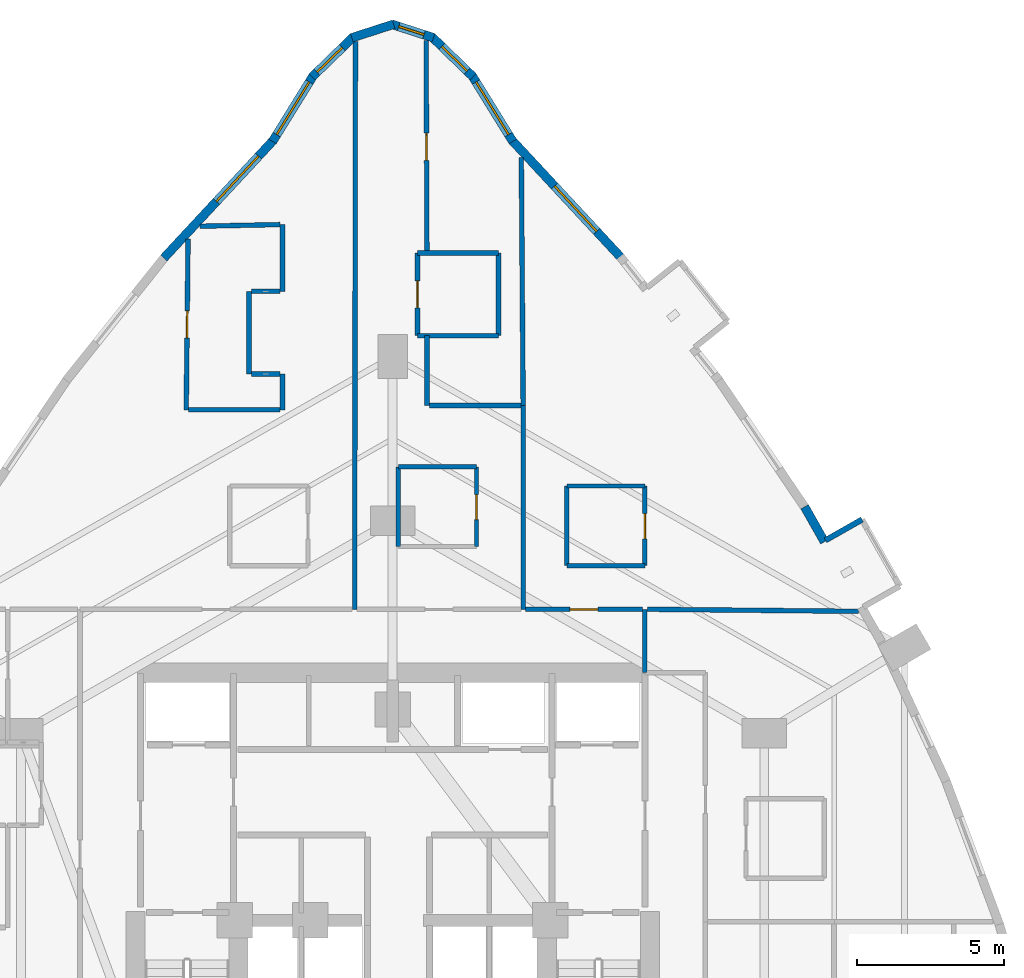
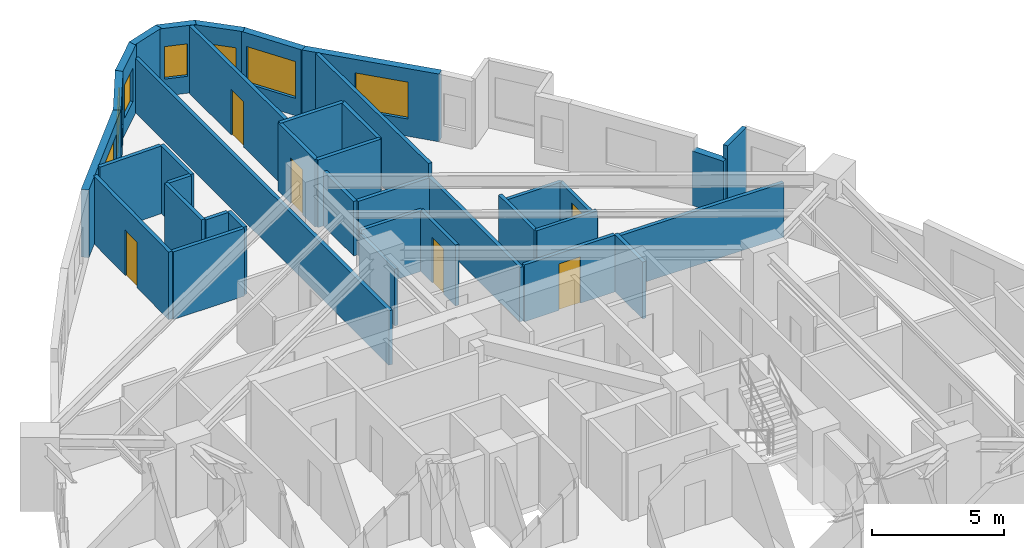
# One storey, part 11 of 13: 38 walls, 7 windows, 6 doors, 13 openings.
"""IFC4 building model written with IfcOpenShell, lengths in metres."""

from ifc_helpers import new_model, si_unit, direction, frame, frame_2d, origin, place, context, subcontext, project, spatial, rectangle, extrude, material, layer, layer_set, type_object, element, fill, save


model = new_model("IFC4")

# Units and contexts
model_context = context("Model", 3, precision=1e-05, world=origin(), true_north=direction((0.0, 1.0)))
body_context = subcontext(model_context, "Body", "Model", "MODEL_VIEW")
ifc_project = project(units=[si_unit("LENGTHUNIT", "METRE"), si_unit("AREAUNIT", "SQUARE_METRE"), si_unit("VOLUMEUNIT", "CUBIC_METRE"), si_unit("PLANEANGLEUNIT", "RADIAN"), si_unit("MASSUNIT", "GRAM", prefix="KILO")], contexts=[model_context])

# Site, building, storey
site_placement = place(None, origin())
site = spatial("IfcSite", under=ifc_project, at=site_placement, CompositionType="ELEMENT")
building_placement = place(site_placement, origin())
building = spatial("IfcBuilding", under=site, at=building_placement, Name="Miruveldt Soraemaru", CompositionType="ELEMENT")
storey_placement = place(building_placement, frame((0.0, 0.0, 59.800048828125)))
storey = spatial("IfcBuildingStorey", under=building, at=storey_placement, Name="L16", CompositionType="ELEMENT", Elevation=59.800048828125)

# Wall
ifc_material_1 = material(Name="White powder-coated aluminium EN AW-6060 T6", Category="aluminium")
ifc_layer_1 = layer(ifc_material_1, 0.18994140625, Name="White powder-coated aluminium EN AW-6060 T6", Category="aluminium")
ifc_layer_set_1 = layer_set([ifc_layer_1], Name="White powder-coated aluminium EN AW-6060 T6")
wall_type_1 = type_object("IfcWallType", Name="WALL-BAY-ALU190", PredefinedType="SOLIDWALL", material=ifc_layer_set_1)
wall_1_placement = place(storey_placement, frame((59.91650390625, 57.643310546875, 0.0), z_axis=(0.0, 0.0, 1.0), x_axis=(-0.869799191674, -0.493405883794, 0.0)))
element("IfcWall", 1, at=wall_1_placement, inside=storey, type_object=wall_type_1, Name="L16 Bay Window Side Cheek 5R", PredefinedType="SOLIDWALL", context=body_context, shape_type="SweptSolid", body=[
    extrude(rectangle(XDim=1.425048828125, YDim=0.18994140625, at=frame_2d((0.71240234375, 0.0))), origin(), (0.0, 0.0, 1.0), 3.125),
])

# Wall, opening, window
ifc_material_2 = material(Name="Precast concrete C45/55 (45 MPa)", Category="concrete")
ifc_layer_2 = layer(ifc_material_2, 0.300048828125, Name="Precast concrete C45/55 (45 MPa)", Category="concrete")
ifc_layer_set_2 = layer_set([ifc_layer_2], Name="Precast concrete C45/55 (45 MPa)")
wall_type_2 = type_object("IfcWallType", Name="WALL-EXT-PC300", PredefinedType="SOLIDWALL", material=ifc_layer_set_2)
wall_2_placement = place(storey_placement, frame((48.0751953125, 70.464111328125, 0.0), z_axis=(0.0, 0.0, 1.0), x_axis=(-0.526087217636, 0.850430620004, 0.0)))
wall_2 = element("IfcWall", 2, at=wall_2_placement, inside=storey, type_object=wall_type_2, Name="L16 Precast Concrete Facade Wall 1", PredefinedType="SOLIDWALL", context=body_context, shape_type="SweptSolid", body=[
    extrude(rectangle(XDim=2.640625, YDim=0.300048828125, at=frame_2d((1.3203125, 0.0))), origin(), (0.0, 0.0, 1.0), 3.125),
])
opening_1_placement = place(wall_2_placement, frame((0.27001953125, 0.0, 0.800048828125)))
opening_1 = element("IfcOpeningElement", 3, at=opening_1_placement, cuts=wall_2, Name="Opening WN-1", PredefinedType="OPENING", context=body_context, shape_type="SweptSolid", body=[
    extrude(rectangle(XDim=2.10009765625, YDim=1.699951171875, at=frame_2d((1.050048828125, 0.85009765625))), frame((0.0, 0.16015625, 0.0), z_axis=(0.0, -1.0, 0.0), x_axis=(1.0, 0.0, 0.0)), (0.0, 0.0, 1.0), 0.320068359375),
])
ifc_material_3 = material(Name="Triple low-e insulated glazing", Category="glass")
window_type_1 = type_object("IfcWindowType", Name="WIN-PUNCH-2100x1700", PartitioningType="SINGLE_PANEL", PredefinedType="WINDOW", material=ifc_material_3)
window_1_placement = place(opening_1_placement, origin())
window_1 = element("IfcWindow", 4, at=window_1_placement, inside=storey, type_object=window_type_1, Name="L16 Punched Triple-Glazed Window 01.1", OverallHeight=1.699951171875, OverallWidth=2.10009765625, PartitioningType="SINGLE_PANEL", PredefinedType="WINDOW", context=body_context, shape_type="SweptSolid", body=[
    extrude(rectangle(XDim=2.10009765625, YDim=1.699951171875, at=frame_2d((1.050048828125, 0.85009765625))), frame((0.0, 0.030029296875, 0.0), z_axis=(0.0, -1.0, 0.0), x_axis=(1.0, 0.0, 0.0)), (0.0, 0.0, 1.0), 0.06005859375),
])
fill(opening_1, window_1)

wall_3_placement = place(storey_placement, frame((46.7294921875, 72.655517578125, 0.0), z_axis=(0.0, 0.0, 1.0), x_axis=(-0.717771695188, 0.696278531614, 0.0)))
wall_3 = element("IfcWall", 5, at=wall_3_placement, inside=storey, type_object=wall_type_2, Name="L16 Precast Concrete Facade Wall 2", PredefinedType="SOLIDWALL", context=body_context, shape_type="SweptSolid", body=[
    extrude(rectangle(XDim=1.953857421875, YDim=0.300048828125, at=frame_2d((0.97705078125, 0.0))), origin(), (0.0, 0.0, 1.0), 3.125),
])
opening_2_placement = place(wall_3_placement, frame((0.281005859375, 0.0, 0.780029296875)))
opening_2 = element("IfcOpeningElement", 6, at=opening_2_placement, cuts=wall_3, Name="Opening WN-4", PredefinedType="OPENING", context=body_context, shape_type="SweptSolid", body=[
    extrude(rectangle(XDim=1.199951171875, YDim=1.550048828125, at=frame_2d((0.60009765625, 0.77490234375))), frame((0.0, 0.16015625, 0.0), z_axis=(0.0, -1.0, 0.0), x_axis=(1.0, 0.0, 0.0)), (0.0, 0.0, 1.0), 0.320068359375),
])
window_type_2 = type_object("IfcWindowType", Name="WIN-PUNCH-1200x1550", PartitioningType="SINGLE_PANEL", PredefinedType="WINDOW", material=ifc_material_3)
window_2_placement = place(opening_2_placement, origin())
window_2 = element("IfcWindow", 7, at=window_2_placement, inside=storey, type_object=window_type_2, Name="L16 Punched Triple-Glazed Window 02.1", OverallHeight=1.550048828125, OverallWidth=1.199951171875, PartitioningType="SINGLE_PANEL", PredefinedType="WINDOW", context=body_context, shape_type="SweptSolid", body=[
    extrude(rectangle(XDim=1.199951171875, YDim=1.550048828125, at=frame_2d((0.60009765625, 0.77490234375))), frame((0.0, 0.030029296875, 0.0), z_axis=(0.0, -1.0, 0.0), x_axis=(1.0, 0.0, 0.0)), (0.0, 0.0, 1.0), 0.06005859375),
])
fill(opening_2, window_2)

wall_4_placement = place(storey_placement, frame((45.385498046875, 73.980712890625, 0.0), z_axis=(0.0, 0.0, 1.0), x_axis=(-0.95149387198, 0.307667696687, 0.0)))
wall_4 = element("IfcWall", 8, at=wall_4_placement, inside=storey, type_object=wall_type_2, Name="L16 Precast Concrete Facade Wall 3", PredefinedType="SOLIDWALL", context=body_context, shape_type="SweptSolid", body=[
    extrude(rectangle(XDim=1.490966796875, YDim=0.300048828125, at=frame_2d((0.74560546875, 0.0))), origin(), (0.0, 0.0, 1.0), 3.125),
])
opening_3_placement = place(wall_4_placement, frame((0.340087890625, 0.0, 0.780029296875)))
opening_3 = element("IfcOpeningElement", 9, at=opening_3_placement, cuts=wall_4, Name="Opening WN-7", PredefinedType="OPENING", context=body_context, shape_type="SweptSolid", body=[
    extrude(rectangle(XDim=0.89990234375, YDim=1.5, at=frame_2d((0.449951171875, 0.75))), frame((0.0, 0.16015625, 0.0), z_axis=(0.0, -1.0, 0.0), x_axis=(1.0, 0.0, 0.0)), (0.0, 0.0, 1.0), 0.320068359375),
])
window_type_3 = type_object("IfcWindowType", Name="WIN-PUNCH-900x1500", PartitioningType="SINGLE_PANEL", PredefinedType="WINDOW", material=ifc_material_3)
window_3_placement = place(opening_3_placement, origin())
window_3 = element("IfcWindow", 10, at=window_3_placement, inside=storey, type_object=window_type_3, Name="L16 Bedroom Casement Window 1", OverallHeight=1.5, OverallWidth=0.89990234375, PartitioningType="SINGLE_PANEL", PredefinedType="WINDOW", context=body_context, shape_type="SweptSolid", body=[
    extrude(rectangle(XDim=0.89990234375, YDim=1.5, at=frame_2d((0.449951171875, 0.75))), frame((0.0, 0.030029296875, 0.0), z_axis=(0.0, -1.0, 0.0), x_axis=(1.0, 0.0, 0.0)), (0.0, 0.0, 1.0), 0.06005859375),
])
fill(opening_3, window_3)

# Wall
wall_5_placement = place(storey_placement, frame((44.033203125, 74.439453125, 0.0), z_axis=(0.0, 0.0, 1.0), x_axis=(-0.95149387198, -0.307667696687, 0.0)))
element("IfcWall", 11, at=wall_5_placement, inside=storey, type_object=wall_type_2, Name="L16 Precast Concrete Facade Wall 4", PredefinedType="SOLIDWALL", context=body_context, shape_type="SweptSolid", body=[
    extrude(rectangle(XDim=1.490966796875, YDim=0.300048828125, at=frame_2d((0.74560546875, 0.0))), origin(), (0.0, 0.0, 1.0), 3.125),
])

# Wall, opening, window
wall_6_placement = place(storey_placement, frame((42.6728515625, 74.015869140625, 0.0), z_axis=(0.0, 0.0, 1.0), x_axis=(-0.717771695188, -0.696278531614, 0.0)))
wall_6 = element("IfcWall", 12, at=wall_6_placement, inside=storey, type_object=wall_type_2, Name="L16 Precast Concrete Facade Wall 5", PredefinedType="SOLIDWALL", context=body_context, shape_type="SweptSolid", body=[
    extrude(rectangle(XDim=1.953857421875, YDim=0.300048828125, at=frame_2d((0.97705078125, 0.0))), origin(), (0.0, 0.0, 1.0), 3.125),
])
opening_4_placement = place(wall_6_placement, frame((0.532958984375, 0.0, 0.780029296875)))
opening_4 = element("IfcOpeningElement", 13, at=opening_4_placement, cuts=wall_6, Name="Opening WN-4", PredefinedType="OPENING", context=body_context, shape_type="SweptSolid", body=[
    extrude(rectangle(XDim=1.199951171875, YDim=1.550048828125, at=frame_2d((0.60009765625, 0.77490234375))), frame((0.0, 0.16015625, 0.0), z_axis=(0.0, -1.0, 0.0), x_axis=(1.0, 0.0, 0.0)), (0.0, 0.0, 1.0), 0.320068359375),
])
window_4_placement = place(opening_4_placement, origin())
window_4 = element("IfcWindow", 14, at=window_4_placement, inside=storey, type_object=window_type_2, Name="L16 Punched Triple-Glazed Window 05.1", OverallHeight=1.550048828125, OverallWidth=1.199951171875, PartitioningType="SINGLE_PANEL", PredefinedType="WINDOW", context=body_context, shape_type="SweptSolid", body=[
    extrude(rectangle(XDim=1.199951171875, YDim=1.550048828125, at=frame_2d((0.60009765625, 0.77490234375))), frame((0.0, 0.030029296875, 0.0), z_axis=(0.0, -1.0, 0.0), x_axis=(1.0, 0.0, 0.0)), (0.0, 0.0, 1.0), 0.06005859375),
])
fill(opening_4, window_4)

wall_7_placement = place(storey_placement, frame((41.31396484375, 72.709716796875, 0.0), z_axis=(0.0, 0.0, 1.0), x_axis=(-0.526087217636, -0.850430620004, 0.0)))
wall_7 = element("IfcWall", 15, at=wall_7_placement, inside=storey, type_object=wall_type_2, Name="L16 Precast Concrete Facade Wall 6", PredefinedType="SOLIDWALL", context=body_context, shape_type="SweptSolid", body=[
    extrude(rectangle(XDim=2.640625, YDim=0.300048828125, at=frame_2d((1.3203125, 0.0))), origin(), (0.0, 0.0, 1.0), 3.125),
])
opening_5_placement = place(wall_7_placement, frame((0.27001953125, 0.0, 0.800048828125)))
opening_5 = element("IfcOpeningElement", 16, at=opening_5_placement, cuts=wall_7, Name="Opening WN-1", PredefinedType="OPENING", context=body_context, shape_type="SweptSolid", body=[
    extrude(rectangle(XDim=2.10009765625, YDim=1.699951171875, at=frame_2d((1.050048828125, 0.85009765625))), frame((0.0, 0.16015625, 0.0), z_axis=(0.0, -1.0, 0.0), x_axis=(1.0, 0.0, 0.0)), (0.0, 0.0, 1.0), 0.320068359375),
])
window_5_placement = place(opening_5_placement, origin())
window_5 = element("IfcWindow", 17, at=window_5_placement, inside=storey, type_object=window_type_1, Name="L16 Punched Triple-Glazed Window 06.1", OverallHeight=1.699951171875, OverallWidth=2.10009765625, PartitioningType="SINGLE_PANEL", PredefinedType="WINDOW", context=body_context, shape_type="SweptSolid", body=[
    extrude(rectangle(XDim=2.10009765625, YDim=1.699951171875, at=frame_2d((1.050048828125, 0.85009765625))), frame((0.0, 0.030029296875, 0.0), z_axis=(0.0, -1.0, 0.0), x_axis=(1.0, 0.0, 0.0)), (0.0, 0.0, 1.0), 0.06005859375),
])
fill(opening_5, window_5)

wall_8_placement = place(storey_placement, frame((39.967041015625, 70.51953125, 0.0), z_axis=(0.0, 0.0, 1.0), x_axis=(-0.680882057682, -0.732393079928, 0.0)))
wall_8 = element("IfcWall", 18, at=wall_8_placement, inside=storey, type_object=wall_type_2, Name="L16 Precast Concrete Facade Wall 7", PredefinedType="SOLIDWALL", context=body_context, shape_type="SweptSolid", body=[
    extrude(rectangle(XDim=5.47412109375, YDim=0.300048828125, at=frame_2d((2.737060546875, 0.0))), origin(), (0.0, 0.0, 1.0), 3.125),
])
opening_6_placement = place(wall_8_placement, frame((0.75390625, 0.0, 0.800048828125)))
opening_6 = element("IfcOpeningElement", 19, at=opening_6_placement, cuts=wall_8, Name="Opening WN-1", PredefinedType="OPENING", context=body_context, shape_type="SweptSolid", body=[
    extrude(rectangle(XDim=2.10009765625, YDim=1.699951171875, at=frame_2d((1.050048828125, 0.85009765625))), frame((0.0, 0.16015625, 0.0), z_axis=(0.0, -1.0, 0.0), x_axis=(1.0, 0.0, 0.0)), (0.0, 0.0, 1.0), 0.320068359375),
])
window_6_placement = place(opening_6_placement, origin())
window_6 = element("IfcWindow", 20, at=window_6_placement, inside=storey, type_object=window_type_1, Name="L16 Punched Triple-Glazed Window 07.1", OverallHeight=1.699951171875, OverallWidth=2.10009765625, PartitioningType="SINGLE_PANEL", PredefinedType="WINDOW", context=body_context, shape_type="SweptSolid", body=[
    extrude(rectangle(XDim=2.10009765625, YDim=1.699951171875, at=frame_2d((1.050048828125, 0.85009765625))), frame((0.0, 0.030029296875, 0.0), z_axis=(0.0, -1.0, 0.0), x_axis=(1.0, 0.0, 0.0)), (0.0, 0.0, 1.0), 0.06005859375),
])
fill(opening_6, window_6)

# Wall
wall_9_placement = place(storey_placement, frame((58.64404296875, 56.886962890625, 0.0), z_axis=(0.0, 0.0, 1.0), x_axis=(-0.493390445805, 0.869807948911, 0.0)))
element("IfcWall", 21, at=wall_9_placement, inside=storey, type_object=wall_type_2, Name="L16 Precast Pier Wall 39B", PredefinedType="SOLIDWALL", context=body_context, shape_type="SweptSolid", body=[
    extrude(rectangle(XDim=1.369140625, YDim=0.300048828125, at=frame_2d((0.6845703125, 0.0))), origin(), (0.0, 0.0, 1.0), 2.512939453125),
])

# Wall, opening, window
wall_10_placement = place(storey_placement, frame((51.76025390625, 66.51025390625, 0.0), z_axis=(0.0, 0.0, 1.0), x_axis=(-0.680882057682, 0.732393079928, 0.0)))
wall_10 = element("IfcWall", 22, at=wall_10_placement, inside=storey, type_object=wall_type_2, Name="L16 Precast Concrete Facade Wall 42", PredefinedType="SOLIDWALL", context=body_context, shape_type="SweptSolid", body=[
    extrude(rectangle(XDim=5.47412109375, YDim=0.300048828125, at=frame_2d((2.737060546875, 0.0))), origin(), (0.0, 0.0, 1.0), 3.125),
])
opening_7_placement = place(wall_10_placement, frame((1.236083984375, 0.0, 0.800048828125)))
opening_7 = element("IfcOpeningElement", 23, at=opening_7_placement, cuts=wall_10, Name="Opening WN-1", PredefinedType="OPENING", context=body_context, shape_type="SweptSolid", body=[
    extrude(rectangle(XDim=2.10009765625, YDim=1.699951171875, at=frame_2d((1.050048828125, 0.85009765625))), frame((0.0, 0.16015625, 0.0), z_axis=(0.0, -1.0, 0.0), x_axis=(1.0, 0.0, 0.0)), (0.0, 0.0, 1.0), 0.320068359375),
])
window_7_placement = place(opening_7_placement, origin())
window_7 = element("IfcWindow", 24, at=window_7_placement, inside=storey, type_object=window_type_1, Name="L16 Punched Triple-Glazed Window 42.1", OverallHeight=1.699951171875, OverallWidth=2.10009765625, PartitioningType="SINGLE_PANEL", PredefinedType="WINDOW", context=body_context, shape_type="SweptSolid", body=[
    extrude(rectangle(XDim=2.10009765625, YDim=1.699951171875, at=frame_2d((1.050048828125, 0.85009765625))), frame((0.0, 0.030029296875, 0.0), z_axis=(0.0, -1.0, 0.0), x_axis=(1.0, 0.0, 0.0)), (0.0, 0.0, 1.0), 0.06005859375),
])
fill(opening_7, window_7)

# Wall, opening, door
ifc_material_4 = material(Name="Gypsum plasterboard lining", Category="gypsum")
ifc_layer_3 = layer(ifc_material_4, 0.14990234375, Name="Gypsum plasterboard lining", Category="gypsum")
ifc_layer_set_3 = layer_set([ifc_layer_3], Name="Gypsum plasterboard lining")
wall_type_3 = type_object("IfcWallType", Name="WALL-INT-PLUMB", PredefinedType="PLUMBINGWALL", material=ifc_layer_set_3)
wall_11_placement = place(storey_placement, frame((46.842041015625, 56.72998046875, 0.0), z_axis=(0.0, 0.0, 1.0), x_axis=(0.0, 1.0, 0.0)))
wall_11 = element("IfcWall", 25, at=wall_11_placement, inside=storey, type_object=wall_type_3, Name="L16 Partition Wall 27", PredefinedType="PLUMBINGWALL", context=body_context, shape_type="SweptSolid", body=[
    extrude(rectangle(XDim=2.699951171875, YDim=0.14990234375, at=frame_2d((1.35009765625, 0.0))), origin(), (0.0, 0.0, 1.0), 2.81298828125),
])
opening_8_placement = place(wall_11_placement, frame((0.909912109375, 0.0, 0.0)))
opening_8 = element("IfcOpeningElement", 26, at=opening_8_placement, cuts=wall_11, Name="Opening FD3", PredefinedType="OPENING", context=body_context, shape_type="SweptSolid", body=[
    extrude(rectangle(XDim=0.85009765625, YDim=2.10009765625, at=frame_2d((0.425048828125, 1.050048828125))), frame((0.0, 0.0849609375, 0.0), z_axis=(0.0, -1.0, 0.0), x_axis=(1.0, 0.0, 0.0)), (0.0, 0.0, 1.0), 0.169921875),
])
ifc_material_5 = material(Name="Anodised aluminium EN AW-6063 T6", Category="aluminium")
door_type_1 = type_object("IfcDoorType", Name="DOOR-FD3-850", OperationType="NOTDEFINED", PredefinedType="DOOR", material=ifc_material_5)
door_1_placement = place(opening_8_placement, origin())
door_1 = element("IfcDoor", 27, at=door_1_placement, inside=storey, type_object=door_type_1, Name="L16 Unit 1603 BTH Door", OperationType="SINGLE_SWING_LEFT", OverallHeight=2.10009765625, OverallWidth=0.85009765625, PredefinedType="DOOR", context=body_context, shape_type="SweptSolid", body=[
    extrude(rectangle(XDim=0.85009765625, YDim=2.10009765625, at=frame_2d((0.425048828125, 1.050048828125))), frame((0.0, 0.02490234375, 0.0), z_axis=(0.0, -1.0, 0.0), x_axis=(1.0, 0.0, 0.0)), (0.0, 0.0, 1.0), 0.050048828125),
])
fill(opening_8, door_1)

wall_12_placement = place(storey_placement, frame((52.554931640625, 56.080078125, 0.0), z_axis=(0.0, 0.0, 1.0), x_axis=(0.0, 1.0, 0.0)))
wall_12 = element("IfcWall", 28, at=wall_12_placement, inside=storey, type_object=wall_type_3, Name="L16 Partition Wall 37", PredefinedType="PLUMBINGWALL", context=body_context, shape_type="SweptSolid", body=[
    extrude(rectangle(XDim=2.699951171875, YDim=0.14990234375, at=frame_2d((1.35009765625, 0.0))), origin(), (0.0, 0.0, 1.0), 2.512939453125),
])
opening_9_placement = place(wall_12_placement, frame((0.909912109375, 0.0, 0.0)))
opening_9 = element("IfcOpeningElement", 29, at=opening_9_placement, cuts=wall_12, Name="Opening FD3", PredefinedType="OPENING", context=body_context, shape_type="SweptSolid", body=[
    extrude(rectangle(XDim=0.85009765625, YDim=2.10009765625, at=frame_2d((0.425048828125, 1.050048828125))), frame((0.0, 0.0849609375, 0.0), z_axis=(0.0, -1.0, 0.0), x_axis=(1.0, 0.0, 0.0)), (0.0, 0.0, 1.0), 0.169921875),
])
door_2_placement = place(opening_9_placement, origin())
door_2 = element("IfcDoor", 30, at=door_2_placement, inside=storey, type_object=door_type_1, Name="L16 Unit CL04 BTH Door", OperationType="SINGLE_SWING_LEFT", OverallHeight=2.10009765625, OverallWidth=0.85009765625, PredefinedType="DOOR", context=body_context, shape_type="SweptSolid", body=[
    extrude(rectangle(XDim=0.85009765625, YDim=2.10009765625, at=frame_2d((0.425048828125, 1.050048828125))), frame((0.0, 0.02490234375, 0.0), z_axis=(0.0, -1.0, 0.0), x_axis=(1.0, 0.0, 0.0)), (0.0, 0.0, 1.0), 0.050048828125),
])
fill(opening_9, door_2)

# Walls
wall_13_placement = place(storey_placement, frame((44.19189453125, 59.429931640625, 0.0), z_axis=(0.0, 0.0, 1.0), x_axis=(0.0, -1.0, 0.0)))
element("IfcWall", 31, at=wall_13_placement, inside=storey, type_object=wall_type_3, Name="L16 Partition Wall 29", PredefinedType="PLUMBINGWALL", context=body_context, shape_type="SweptSolid", body=[
    extrude(rectangle(XDim=2.699951171875, YDim=0.14990234375, at=frame_2d((1.35009765625, 0.0))), origin(), (0.0, 0.0, 1.0), 2.625),
])
wall_14_placement = place(storey_placement, frame((49.905029296875, 58.780029296875, 0.0), z_axis=(0.0, 0.0, 1.0), x_axis=(0.0, -1.0, 0.0)))
element("IfcWall", 32, at=wall_14_placement, inside=storey, type_object=wall_type_3, Name="L16 Partition Wall 39", PredefinedType="PLUMBINGWALL", context=body_context, shape_type="SweptSolid", body=[
    extrude(rectangle(XDim=2.699951171875, YDim=0.14990234375, at=frame_2d((1.35009765625, 0.0))), origin(), (0.0, 0.0, 1.0), 2.81298828125),
])
wall_15_placement = place(storey_placement, frame((46.842041015625, 59.429931640625, 0.0), z_axis=(0.0, 0.0, 1.0), x_axis=(-1.0, 0.0, 0.0)))
element("IfcWall", 33, at=wall_15_placement, inside=storey, type_object=wall_type_3, Name="L16 Partition Wall 28", PredefinedType="PLUMBINGWALL", context=body_context, shape_type="SweptSolid", body=[
    extrude(rectangle(XDim=2.650146484375, YDim=0.14990234375, at=frame_2d((1.3251953125, 0.0))), origin(), (0.0, 0.0, 1.0), 2.81298828125),
])
wall_16_placement = place(storey_placement, frame((52.554931640625, 58.780029296875, 0.0), z_axis=(0.0, 0.0, 1.0), x_axis=(-1.0, 0.0, 0.0)))
element("IfcWall", 34, at=wall_16_placement, inside=storey, type_object=wall_type_3, Name="L16 Partition Wall 38", PredefinedType="PLUMBINGWALL", context=body_context, shape_type="SweptSolid", body=[
    extrude(rectangle(XDim=2.64990234375, YDim=0.14990234375, at=frame_2d((1.324951171875, 0.0))), origin(), (0.0, 0.0, 1.0), 2.512939453125),
])
wall_17_placement = place(storey_placement, frame((49.905029296875, 56.080078125, 0.0), z_axis=(0.0, 0.0, 1.0), x_axis=(1.0, 0.0, 0.0)))
element("IfcWall", 35, at=wall_17_placement, inside=storey, type_object=wall_type_3, Name="L16 Partition Wall 40", PredefinedType="PLUMBINGWALL", context=body_context, shape_type="SweptSolid", body=[
    extrude(rectangle(XDim=2.64990234375, YDim=0.14990234375, at=frame_2d((1.324951171875, 0.0))), origin(), (0.0, 0.0, 1.0), 2.81298828125),
])

# Wall, opening, door
ifc_material_6 = material(Name="Concrete C40/50 (40 MPa)", Category="concrete")
ifc_layer_4 = layer(ifc_material_6, 0.159912109375, Name="Concrete C40/50 (40 MPa)", Category="concrete")
ifc_layer_set_4 = layer_set([ifc_layer_4], Name="Concrete C40/50 (40 MPa)")
wall_type_4 = type_object("IfcWallType", Name="WALL-INT-RC160", PredefinedType="SOLIDWALL", material=ifc_layer_set_4)
wall_18_placement = place(storey_placement, frame((45.162109375, 66.679931640625, 0.0), z_axis=(0.0, 0.0, 1.0), x_axis=(-0.003624146366, 0.99999343276, 0.0)))
wall_18 = element("IfcWall", 36, at=wall_18_placement, inside=storey, type_object=wall_type_4, Name="L16 Partition Wall 34", PredefinedType="SOLIDWALL", context=body_context, shape_type="SweptSolid", body=[
    extrude(rectangle(XDim=7.2080078125, YDim=0.159912109375, at=frame_2d((3.60400390625, 0.0))), origin(), (0.0, 0.0, 1.0), 3.125),
])
opening_10_placement = place(wall_18_placement, frame((3.14404296875, 0.0, 0.0)))
opening_10 = element("IfcOpeningElement", 37, at=opening_10_placement, cuts=wall_18, Name="Opening D3A", PredefinedType="OPENING", context=body_context, shape_type="SweptSolid", body=[
    extrude(rectangle(XDim=0.919921875, YDim=2.10009765625, at=frame_2d((0.4599609375, 1.050048828125))), frame((0.0, 0.08984375, 0.0), z_axis=(0.0, -1.0, 0.0), x_axis=(1.0, 0.0, 0.0)), (0.0, 0.0, 1.0), 0.179931640625),
])
door_type_2 = type_object("IfcDoorType", Name="DOOR-INT-920", OperationType="NOTDEFINED", PredefinedType="DOOR", material=ifc_material_5)
door_3_placement = place(opening_10_placement, origin())
door_3 = element("IfcDoor", 38, at=door_3_placement, inside=storey, type_object=door_type_2, Name="L16 Unit 1603 BD1 Door", OperationType="SINGLE_SWING_LEFT", OverallHeight=2.10009765625, OverallWidth=0.919921875, PredefinedType="DOOR", context=body_context, shape_type="SweptSolid", body=[
    extrude(rectangle(XDim=0.919921875, YDim=2.10009765625, at=frame_2d((0.4599609375, 1.050048828125))), frame((0.0, 0.02490234375, 0.0), z_axis=(0.0, -1.0, 0.0), x_axis=(1.0, 0.0, 0.0)), (0.0, 0.0, 1.0), 0.050048828125),
])
fill(opening_10, door_3)

wall_19_placement = place(storey_placement, frame((37.0, 61.364990234375, 0.0), z_axis=(0.0, 0.0, 1.0), x_axis=(0.010713068323, 0.999942613437, 0.0)))
wall_19 = element("IfcWall", 39, at=wall_19_placement, inside=storey, type_object=wall_type_4, Name="L16 Partition Wall 23", PredefinedType="SOLIDWALL", context=body_context, shape_type="SweptSolid", body=[
    extrude(rectangle(XDim=5.788330078125, YDim=0.159912109375, at=frame_2d((2.89404296875, 0.0))), origin(), (0.0, 0.0, 1.0), 3.125),
])
opening_11_placement = place(wall_19_placement, frame((2.43408203125, 0.0, 0.0)))
opening_11 = element("IfcOpeningElement", 40, at=opening_11_placement, cuts=wall_19, Name="Opening D3A", PredefinedType="OPENING", context=body_context, shape_type="SweptSolid", body=[
    extrude(rectangle(XDim=0.919921875, YDim=2.10009765625, at=frame_2d((0.4599609375, 1.050048828125))), frame((0.0, 0.08984375, 0.0), z_axis=(0.0, -1.0, 0.0), x_axis=(1.0, 0.0, 0.0)), (0.0, 0.0, 1.0), 0.179931640625),
])
door_4_placement = place(opening_11_placement, origin())
door_4 = element("IfcDoor", 41, at=door_4_placement, inside=storey, type_object=door_type_2, Name="L16 Unit 1602 BD1 Door", OperationType="SINGLE_SWING_LEFT", OverallHeight=2.10009765625, OverallWidth=0.919921875, PredefinedType="DOOR", context=body_context, shape_type="SweptSolid", body=[
    extrude(rectangle(XDim=0.919921875, YDim=2.10009765625, at=frame_2d((0.4599609375, 1.050048828125))), frame((0.0, 0.02490234375, 0.0), z_axis=(0.0, -1.0, 0.0), x_axis=(1.0, 0.0, 0.0)), (0.0, 0.0, 1.0), 0.050048828125),
])
fill(opening_11, door_4)

wall_20_placement = place(storey_placement, frame((52.469970703125, 54.60009765625, 0.0), z_axis=(0.0, 0.0, 1.0), x_axis=(-1.0, 0.0, 0.0)))
wall_20 = element("IfcWall", 42, at=wall_20_placement, inside=storey, type_object=wall_type_4, Name="L16 Partition Wall 3", PredefinedType="SOLIDWALL", context=body_context, shape_type="SweptSolid", body=[
    extrude(rectangle(XDim=3.965087890625, YDim=0.159912109375, at=frame_2d((1.982421875, 0.0))), origin(), (0.0, 0.0, 1.0), 2.625),
])
opening_12_placement = place(wall_20_placement, frame((1.507080078125, 0.0, 0.0)))
opening_12 = element("IfcOpeningElement", 43, at=opening_12_placement, cuts=wall_20, Name="Opening FD2", PredefinedType="OPENING", context=body_context, shape_type="SweptSolid", body=[
    extrude(rectangle(XDim=0.949951171875, YDim=2.14990234375, at=frame_2d((0.47509765625, 1.074951171875))), frame((0.0, 0.08984375, 0.0), z_axis=(0.0, -1.0, 0.0), x_axis=(1.0, 0.0, 0.0)), (0.0, 0.0, 1.0), 0.179931640625),
])
door_type_3 = type_object("IfcDoorType", Name="DOOR-FD2-950", OperationType="NOTDEFINED", PredefinedType="DOOR", material=ifc_material_5)
door_5_placement = place(opening_12_placement, origin())
door_5 = element("IfcDoor", 44, at=door_5_placement, inside=storey, type_object=door_type_3, Name="L16 Unit CL04 Entrance Fire Door", OperationType="SINGLE_SWING_RIGHT", OverallHeight=2.14990234375, OverallWidth=0.949951171875, PredefinedType="DOOR", context=body_context, shape_type="SweptSolid", body=[
    extrude(rectangle(XDim=0.949951171875, YDim=2.14990234375, at=frame_2d((0.47509765625, 1.074951171875))), frame((0.0, 0.02490234375, 0.0), z_axis=(0.0, -1.0, 0.0), x_axis=(1.0, 0.0, 0.0)), (0.0, 0.0, 1.0), 0.050048828125),
])
fill(opening_12, door_5)

wall_21_placement = place(storey_placement, frame((44.842041015625, 66.679931640625, 0.0), z_axis=(0.0, 0.0, 1.0), x_axis=(0.0, -1.0, 0.0)))
wall_21 = element("IfcWall", 45, at=wall_21_placement, inside=storey, type_object=wall_type_4, Name="L16 Partition Wall 31", PredefinedType="SOLIDWALL", context=body_context, shape_type="SweptSolid", body=[
    extrude(rectangle(XDim=2.800048828125, YDim=0.159912109375, at=frame_2d((1.39990234375, 0.0))), origin(), (0.0, 0.0, 1.0), 3.125),
])
opening_13_placement = place(wall_21_placement, frame((0.93994140625, 0.0, 0.0)))
opening_13 = element("IfcOpeningElement", 46, at=opening_13_placement, cuts=wall_21, Name="Opening D3A", PredefinedType="OPENING", context=body_context, shape_type="SweptSolid", body=[
    extrude(rectangle(XDim=0.919921875, YDim=2.10009765625, at=frame_2d((0.4599609375, 1.050048828125))), frame((0.0, 0.08984375, 0.0), z_axis=(0.0, -1.0, 0.0), x_axis=(1.0, 0.0, 0.0)), (0.0, 0.0, 1.0), 0.179931640625),
])
door_6_placement = place(opening_13_placement, origin())
door_6 = element("IfcDoor", 47, at=door_6_placement, inside=storey, type_object=door_type_2, Name="L16 Unit 1603 KIT Door", OperationType="SINGLE_SWING_RIGHT", OverallHeight=2.10009765625, OverallWidth=0.919921875, PredefinedType="DOOR", context=body_context, shape_type="SweptSolid", body=[
    extrude(rectangle(XDim=0.919921875, YDim=2.10009765625, at=frame_2d((0.4599609375, 1.050048828125))), frame((0.0, 0.02490234375, 0.0), z_axis=(0.0, -1.0, 0.0), x_axis=(1.0, 0.0, 0.0)), (0.0, 0.0, 1.0), 0.050048828125),
])
fill(opening_13, door_6)

# Walls
wall_22_placement = place(storey_placement, frame((42.7119140625, 54.60009765625, 0.0), z_axis=(0.0, 0.0, 1.0), x_axis=(0.001357263924, 0.999999078917, 0.0)))
element("IfcWall", 48, at=wall_22_placement, inside=storey, type_object=wall_type_4, Name="L16 Partition Wall 24", PredefinedType="SOLIDWALL", context=body_context, shape_type="SweptSolid", body=[
    extrude(rectangle(XDim=19.246826171875, YDim=0.159912109375, at=frame_2d((9.62353515625, 0.0))), origin(), (0.0, 0.0, 1.0), 2.512939453125),
])
wall_23_placement = place(storey_placement, frame((48.362060546875, 69.923095703125, 0.0), z_axis=(0.0, 0.0, 1.0), x_axis=(0.007487600639, -0.999971967525, 0.0)))
element("IfcWall", 49, at=wall_23_placement, inside=storey, type_object=wall_type_4, Name="L16 Partition Wall 95", PredefinedType="SOLIDWALL", context=body_context, shape_type="SweptSolid", body=[
    extrude(rectangle(XDim=8.412353515625, YDim=0.159912109375, at=frame_2d((4.2060546875, 0.0))), origin(), (0.0, 0.0, 1.0), 3.125),
])
wall_24_placement = place(storey_placement, frame((52.633056640625, 54.60009765625, 0.0), z_axis=(0.0, 0.0, 1.0), x_axis=(0.999952203327, -0.009777068182, 0.0)))
element("IfcWall", 50, at=wall_24_placement, inside=storey, type_object=wall_type_4, Name="L16 Partition Wall 41", PredefinedType="SOLIDWALL", context=body_context, shape_type="SweptSolid", body=[
    extrude(rectangle(XDim=7.16650390625, YDim=0.159912109375, at=frame_2d((3.583251953125, 0.0))), origin(), (0.0, 0.0, 1.0), 2.512939453125),
])
wall_25_placement = place(storey_placement, frame((48.425048828125, 54.60009765625, 0.0), z_axis=(0.0, 0.0, 1.0), x_axis=(0.0, 1.0, 0.0)))
element("IfcWall", 51, at=wall_25_placement, inside=storey, type_object=wall_type_4, Name="L16 Partition Wall 35", PredefinedType="SOLIDWALL", context=body_context, shape_type="SweptSolid", body=[
    extrude(rectangle(XDim=6.910888671875, YDim=0.159912109375, at=frame_2d((3.45556640625, 0.0))), origin(), (0.0, 0.0, 1.0), 2.512939453125),
])
wall_26_placement = place(storey_placement, frame((48.344970703125, 61.510986328125, 0.0), z_axis=(0.0, 0.0, 1.0), x_axis=(-1.0, 0.0, 0.0)))
element("IfcWall", 52, at=wall_26_placement, inside=storey, type_object=wall_type_4, Name="L16 Partition Wall 32", PredefinedType="SOLIDWALL", context=body_context, shape_type="SweptSolid", body=[
    extrude(rectangle(XDim=3.10302734375, YDim=0.159912109375, at=frame_2d((1.551513671875, 0.0))), origin(), (0.0, 0.0, 1.0), 2.512939453125),
])
wall_27_placement = place(storey_placement, frame((40.181884765625, 61.364990234375, 0.0), z_axis=(0.0, 0.0, 1.0), x_axis=(-1.0, 0.0, 0.0)))
element("IfcWall", 53, at=wall_27_placement, inside=storey, type_object=wall_type_4, Name="L16 Partition Wall 22", PredefinedType="SOLIDWALL", context=body_context, shape_type="SweptSolid", body=[
    extrude(rectangle(XDim=3.101806640625, YDim=0.159912109375, at=frame_2d((1.55078125, 0.0))), origin(), (0.0, 0.0, 1.0), 3.125),
])
wall_28_placement = place(storey_placement, frame((47.592041015625, 63.8798828125, 0.0), z_axis=(0.0, 0.0, 1.0), x_axis=(0.0, 1.0, 0.0)))
element("IfcWall", 54, at=wall_28_placement, inside=storey, type_object=wall_type_4, Name="L16 Partition Wall 36", PredefinedType="SOLIDWALL", context=body_context, shape_type="SweptSolid", body=[
    extrude(rectangle(XDim=2.800048828125, YDim=0.159912109375, at=frame_2d((1.39990234375, 0.0))), origin(), (0.0, 0.0, 1.0), 3.125),
])
wall_29_placement = place(storey_placement, frame((39.1298828125, 65.3798828125, 0.0), z_axis=(0.0, 0.0, 1.0), x_axis=(0.0, -1.0, 0.0)))
element("IfcWall", 55, at=wall_29_placement, inside=storey, type_object=wall_type_4, Name="L16 Partition Wall 19", PredefinedType="SOLIDWALL", context=body_context, shape_type="SweptSolid", body=[
    extrude(rectangle(XDim=2.7998046875, YDim=0.159912109375, at=frame_2d((1.39990234375, 0.0))), origin(), (0.0, 0.0, 1.0), 3.125),
])
for number, where, z_axis, x_axis, name in (
    (56, (47.592041015625, 66.679931640625, 0.0), (0.0, 0.0, 1.0), (-1.0, 0.0, 0.0), "L16 Partition Wall 93"),
    (57, (44.842041015625, 63.8798828125, 0.0), (0.0, 0.0, 1.0), (1.0, 0.0, 0.0), "L16 Partition Wall 94"),
):
    element("IfcWall", number, at=place(storey_placement, frame(where, z_axis=z_axis, x_axis=x_axis)), inside=storey, type_object=wall_type_4, Name=name, PredefinedType="SOLIDWALL", context=body_context, shape_type="SweptSolid", body=[
        extrude(rectangle(XDim=2.75, YDim=0.159912109375, at=frame_2d((1.375, 0.0))), origin(), (0.0, 0.0, 1.0), 3.125),
    ])
wall_30_placement = place(storey_placement, frame((37.468017578125, 67.589111328125, 0.0), z_axis=(0.0, 0.0, 1.0), x_axis=(0.999787868245, 0.020596565476, 0.0)))
element("IfcWall", 58, at=wall_30_placement, inside=storey, type_object=wall_type_4, Name="L16 Partition Wall 16", PredefinedType="SOLIDWALL", context=body_context, shape_type="SweptSolid", body=[
    extrude(rectangle(XDim=2.71435546875, YDim=0.159912109375, at=frame_2d((1.357177734375, 0.0))), origin(), (0.0, 0.0, 1.0), 3.125),
])
wall_31_placement = place(storey_placement, frame((45.162109375, 61.510986328125, 0.0), z_axis=(0.0, 0.0, 1.0), x_axis=(0.0, 1.0, 0.0)))
element("IfcWall", 59, at=wall_31_placement, inside=storey, type_object=wall_type_4, Name="L16 Partition Wall 33", PredefinedType="SOLIDWALL", context=body_context, shape_type="SweptSolid", body=[
    extrude(rectangle(XDim=2.368896484375, YDim=0.159912109375, at=frame_2d((1.1845703125, 0.0))), origin(), (0.0, 0.0, 1.0), 2.512939453125),
])
wall_32_placement = place(storey_placement, frame((40.261962890625, 67.64697265625, 0.0), z_axis=(0.0, 0.0, 1.0), x_axis=(0.0, -1.0, 0.0)))
element("IfcWall", 60, at=wall_32_placement, inside=storey, type_object=wall_type_4, Name="L16 Partition Wall 17", PredefinedType="SOLIDWALL", context=body_context, shape_type="SweptSolid", body=[
    extrude(rectangle(XDim=2.26708984375, YDim=0.159912109375, at=frame_2d((1.133544921875, 0.0))), origin(), (0.0, 0.0, 1.0), 3.125),
])
wall_33_placement = place(storey_placement, frame((52.550048828125, 52.449951171875, 0.0), z_axis=(0.0, 0.0, 1.0), x_axis=(0.0, 1.0, 0.0)))
element("IfcWall", 61, at=wall_33_placement, inside=storey, type_object=wall_type_4, Name="L16 Partition Wall 8", PredefinedType="SOLIDWALL", context=body_context, shape_type="SweptSolid", body=[
    extrude(rectangle(XDim=2.14697265625, YDim=0.159912109375, at=frame_2d((1.073486328125, 0.0))), origin(), (0.0, 0.0, 1.0), 2.625),
])
wall_34_placement = place(storey_placement, frame((40.261962890625, 62.580078125, 0.0), z_axis=(0.0, 0.0, 1.0), x_axis=(0.0, -1.0, 0.0)))
element("IfcWall", 62, at=wall_34_placement, inside=storey, type_object=wall_type_4, Name="L16 Partition Wall 21", PredefinedType="SOLIDWALL", context=body_context, shape_type="SweptSolid", body=[
    extrude(rectangle(XDim=1.215087890625, YDim=0.159912109375, at=frame_2d((0.607421875, 0.0))), origin(), (0.0, 0.0, 1.0), 3.125),
])
for number, where, z_axis, x_axis, name in (
    (63, (40.181884765625, 65.3798828125, 0.0), (0.0, 0.0, 1.0), (-1.0, 0.0, 0.0), "L16 Partition Wall 18"),
    (64, (39.2099609375, 62.580078125, 0.0), (0.0, 0.0, 1.0), (1.0, 0.0, 0.0), "L16 Partition Wall 20"),
):
    element("IfcWall", number, at=place(storey_placement, frame(where, z_axis=z_axis, x_axis=x_axis)), inside=storey, type_object=wall_type_4, Name=name, PredefinedType="SOLIDWALL", context=body_context, shape_type="SweptSolid", body=[
        extrude(rectangle(XDim=0.971923828125, YDim=0.159912109375, at=frame_2d((0.48583984375, 0.0))), origin(), (0.0, 0.0, 1.0), 3.125),
    ])

save(model, "model.ifc")
